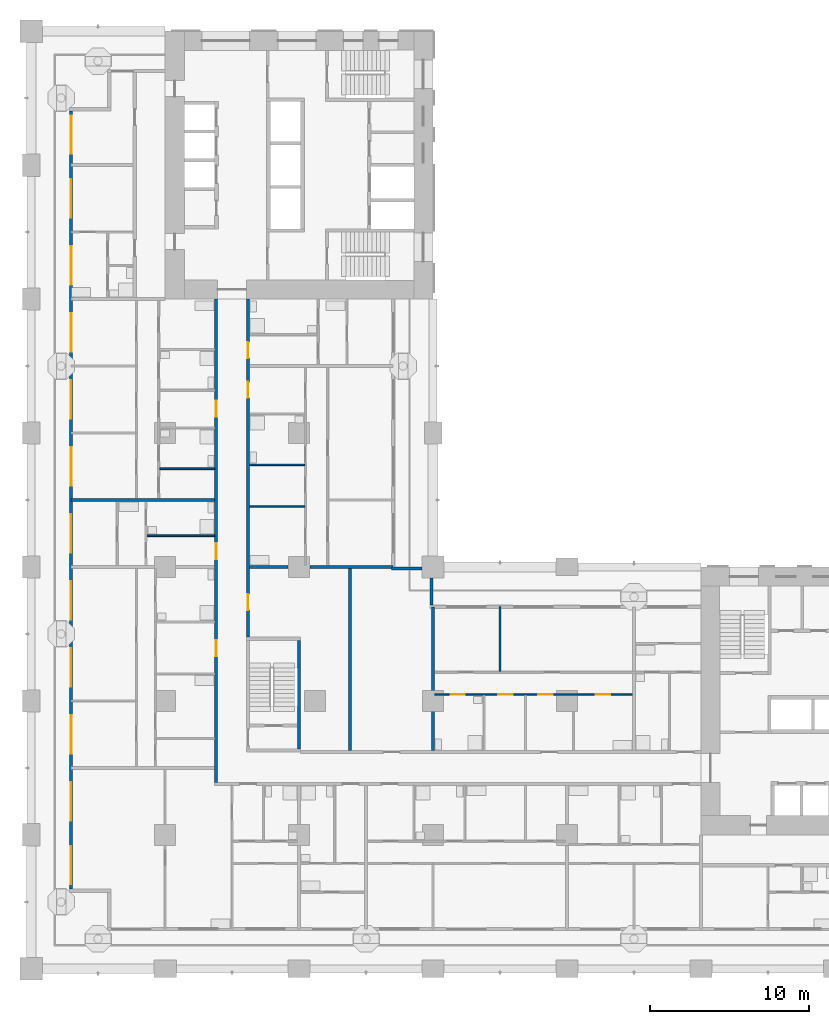
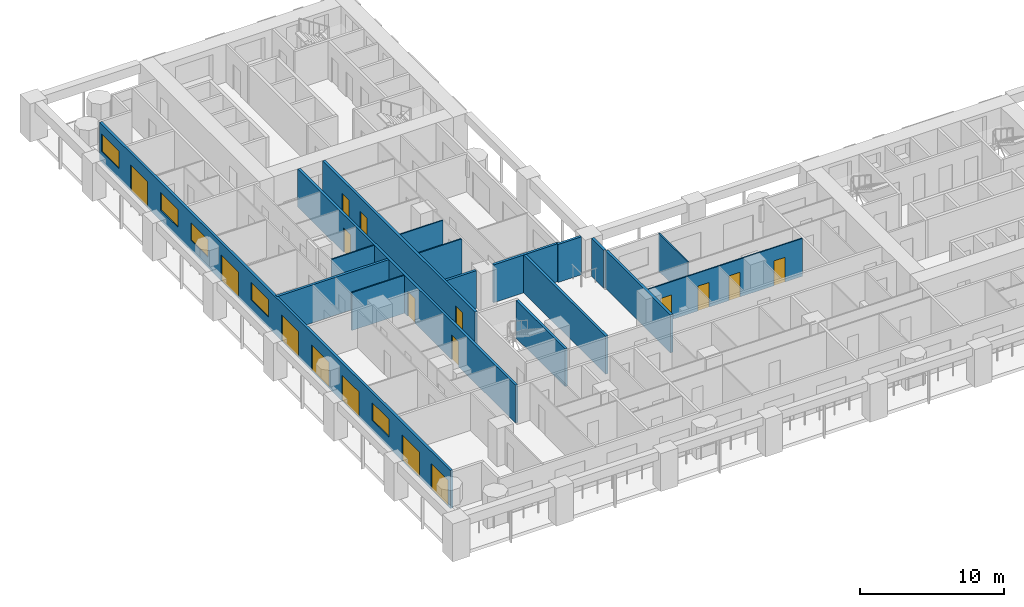
# One storey, part 4 of 21: 17 doors, 17 walls, 5 windows, 22 openings.
"""IFC4 building model written with IfcOpenShell, lengths in metres."""

from ifc_helpers import new_model, si_unit, direction, frame, frame_2d, origin, place, context, subcontext, project, spatial, rectangle, extrude, material, layer, layer_set, type_object, element, fill, save


model = new_model("IFC4")

# Units and contexts
model_context = context("Model", 3, precision=1e-05, world=origin(), true_north=direction((0.0, 1.0)))
body_context = subcontext(model_context, "Body", "Model", "MODEL_VIEW")
ifc_project = project(units=[si_unit("LENGTHUNIT", "METRE"), si_unit("AREAUNIT", "SQUARE_METRE"), si_unit("VOLUMEUNIT", "CUBIC_METRE"), si_unit("PLANEANGLEUNIT", "RADIAN"), si_unit("MASSUNIT", "GRAM", prefix="KILO")], contexts=[model_context])

# Site, building, storey
site_placement = place(None, origin())
site = spatial("IfcSite", under=ifc_project, at=site_placement, CompositionType="ELEMENT")
building_placement = place(site_placement, origin())
building = spatial("IfcBuilding", under=site, at=building_placement, Name="Vermilion Gate Residences", CompositionType="ELEMENT")
storey_placement = place(building_placement, frame((0.0, 0.0, 67.199951171875)))
storey = spatial("IfcBuildingStorey", under=building, at=storey_placement, Name="L16", CompositionType="ELEMENT", Elevation=67.199951171875)

# Wall, openings, doors, windows
ifc_material_1 = material(Name="Insulated steel stud wall with terracotta rainscreen", Category="masonry")
ifc_layer_1 = layer(ifc_material_1, 0.199951171875)
ifc_layer_set_1 = layer_set([ifc_layer_1], Name="EXTERNAL WALL 200 TERRACOTTA RAINSCREEN")
wall_type_1 = type_object("IfcWallType", Name="EXTERNAL WALL 200 TERRACOTTA RAINSCREEN", PredefinedType="SOLIDWALL", material=ifc_layer_set_1)
wall_1_placement = place(storey_placement, frame((2.5, 53.800048828125, 0.0), z_axis=(0.0, 0.0, 1.0), x_axis=(0.0, -1.0, 0.0)))
wall_1 = element("IfcWall", 1, at=wall_1_placement, inside=storey, type_object=wall_type_1, Name="External wall", PredefinedType="SOLIDWALL", context=body_context, shape_type="SweptSolid", body=[
    extrude(rectangle(XDim=48.800048828125, YDim=0.199951171875, at=frame_2d((24.39990234375, 0.0))), origin(), (0.0, 0.0, 1.0), 3.219970703125),
])
opening_1_placement = place(wall_1_placement, frame((46.10009765625, 0.0, 0.0)))
opening_1 = element("IfcOpeningElement", 2, at=opening_1_placement, cuts=wall_1, Name="Opening DE16002", PredefinedType="OPENING", context=body_context, shape_type="SweptSolid", body=[
    extrude(rectangle(XDim=2.39990234375, YDim=2.199951171875, at=frame_2d((1.199951171875, 1.10009765625))), frame((0.0, 0.10986328125, 0.0), z_axis=(0.0, -1.0, 0.0), x_axis=(1.0, 0.0, 0.0)), (0.0, 0.0, 1.0), 0.219970703125),
])
opening_2_placement = place(wall_1_placement, frame((42.10009765625, 0.0, 0.0)))
opening_2 = element("IfcOpeningElement", 3, at=opening_2_placement, cuts=wall_1, Name="Opening DE16003", PredefinedType="OPENING", context=body_context, shape_type="SweptSolid", body=[
    extrude(rectangle(XDim=2.39990234375, YDim=2.199951171875, at=frame_2d((1.199951171875, 1.10009765625))), frame((0.0, 0.10986328125, 0.0), z_axis=(0.0, -1.0, 0.0), x_axis=(1.0, 0.0, 0.0)), (0.0, 0.0, 1.0), 0.219970703125),
])
opening_3_placement = place(wall_1_placement, frame((37.89990234375, 0.0, 0.89990234375)))
opening_3 = element("IfcOpeningElement", 4, at=opening_3_placement, cuts=wall_1, Name="Opening WE16004", PredefinedType="OPENING", context=body_context, shape_type="SweptSolid", body=[
    extrude(rectangle(XDim=2.39990234375, YDim=1.5, at=frame_2d((1.199951171875, 0.75))), frame((0.0, 0.10986328125, 0.0), z_axis=(0.0, -1.0, 0.0), x_axis=(1.0, 0.0, 0.0)), (0.0, 0.0, 1.0), 0.219970703125),
])
opening_4_placement = place(wall_1_placement, frame((33.699951171875, 0.0, 0.0)))
opening_4 = element("IfcOpeningElement", 5, at=opening_4_placement, cuts=wall_1, Name="Opening DE16005", PredefinedType="OPENING", context=body_context, shape_type="SweptSolid", body=[
    extrude(rectangle(XDim=2.39990234375, YDim=2.199951171875, at=frame_2d((1.199951171875, 1.10009765625))), frame((0.0, 0.10986328125, 0.0), z_axis=(0.0, -1.0, 0.0), x_axis=(1.0, 0.0, 0.0)), (0.0, 0.0, 1.0), 0.219970703125),
])
opening_5_placement = place(wall_1_placement, frame((29.5, 0.0, 0.0)))
opening_5 = element("IfcOpeningElement", 6, at=opening_5_placement, cuts=wall_1, Name="Opening DE16006", PredefinedType="OPENING", context=body_context, shape_type="SweptSolid", body=[
    extrude(rectangle(XDim=2.39990234375, YDim=2.199951171875, at=frame_2d((1.199951171875, 1.10009765625))), frame((0.0, 0.10986328125, 0.0), z_axis=(0.0, -1.0, 0.0), x_axis=(1.0, 0.0, 0.0)), (0.0, 0.0, 1.0), 0.219970703125),
])
opening_6_placement = place(wall_1_placement, frame((25.300048828125, 0.0, 0.0)))
opening_6 = element("IfcOpeningElement", 7, at=opening_6_placement, cuts=wall_1, Name="Opening DE16007", PredefinedType="OPENING", context=body_context, shape_type="SweptSolid", body=[
    extrude(rectangle(XDim=2.39990234375, YDim=2.199951171875, at=frame_2d((1.199951171875, 1.10009765625))), frame((0.0, 0.10986328125, 0.0), z_axis=(0.0, -1.0, 0.0), x_axis=(1.0, 0.0, 0.0)), (0.0, 0.0, 1.0), 0.219970703125),
])
opening_7_placement = place(wall_1_placement, frame((21.10009765625, 0.0, 0.89990234375)))
opening_7 = element("IfcOpeningElement", 8, at=opening_7_placement, cuts=wall_1, Name="Opening WE16008", PredefinedType="OPENING", context=body_context, shape_type="SweptSolid", body=[
    extrude(rectangle(XDim=2.39990234375, YDim=1.5, at=frame_2d((1.199951171875, 0.75))), frame((0.0, 0.10986328125, 0.0), z_axis=(0.0, -1.0, 0.0), x_axis=(1.0, 0.0, 0.0)), (0.0, 0.0, 1.0), 0.219970703125),
])
opening_8_placement = place(wall_1_placement, frame((16.89990234375, 0.0, 0.0)))
opening_8 = element("IfcOpeningElement", 9, at=opening_8_placement, cuts=wall_1, Name="Opening DE16009", PredefinedType="OPENING", context=body_context, shape_type="SweptSolid", body=[
    extrude(rectangle(XDim=2.39990234375, YDim=2.199951171875, at=frame_2d((1.199951171875, 1.10009765625))), frame((0.0, 0.10986328125, 0.0), z_axis=(0.0, -1.0, 0.0), x_axis=(1.0, 0.0, 0.0)), (0.0, 0.0, 1.0), 0.219970703125),
])
opening_9_placement = place(wall_1_placement, frame((12.699951171875, 0.0, 0.89990234375)))
opening_9 = element("IfcOpeningElement", 10, at=opening_9_placement, cuts=wall_1, Name="Opening WE16010", PredefinedType="OPENING", context=body_context, shape_type="SweptSolid", body=[
    extrude(rectangle(XDim=2.39990234375, YDim=1.5, at=frame_2d((1.199951171875, 0.75))), frame((0.0, 0.10986328125, 0.0), z_axis=(0.0, -1.0, 0.0), x_axis=(1.0, 0.0, 0.0)), (0.0, 0.0, 1.0), 0.219970703125),
])
opening_10_placement = place(wall_1_placement, frame((8.5, 0.0, 0.89990234375)))
opening_10 = element("IfcOpeningElement", 11, at=opening_10_placement, cuts=wall_1, Name="Opening WE16011", PredefinedType="OPENING", context=body_context, shape_type="SweptSolid", body=[
    extrude(rectangle(XDim=2.39990234375, YDim=1.5, at=frame_2d((1.199951171875, 0.75))), frame((0.0, 0.10986328125, 0.0), z_axis=(0.0, -1.0, 0.0), x_axis=(1.0, 0.0, 0.0)), (0.0, 0.0, 1.0), 0.219970703125),
])
opening_11_placement = place(wall_1_placement, frame((4.300048828125, 0.0, 0.0)))
opening_11 = element("IfcOpeningElement", 12, at=opening_11_placement, cuts=wall_1, Name="Opening DE16012", PredefinedType="OPENING", context=body_context, shape_type="SweptSolid", body=[
    extrude(rectangle(XDim=2.39990234375, YDim=2.199951171875, at=frame_2d((1.199951171875, 1.10009765625))), frame((0.0, 0.10986328125, 0.0), z_axis=(0.0, -1.0, 0.0), x_axis=(1.0, 0.0, 0.0)), (0.0, 0.0, 1.0), 0.219970703125),
])
opening_12_placement = place(wall_1_placement, frame((0.300048828125, 0.0, 0.89990234375)))
opening_12 = element("IfcOpeningElement", 13, at=opening_12_placement, cuts=wall_1, Name="Opening WE16013", PredefinedType="OPENING", context=body_context, shape_type="SweptSolid", body=[
    extrude(rectangle(XDim=2.39990234375, YDim=1.5, at=frame_2d((1.199951171875, 0.75))), frame((0.0, 0.10986328125, 0.0), z_axis=(0.0, -1.0, 0.0), x_axis=(1.0, 0.0, 0.0)), (0.0, 0.0, 1.0), 0.219970703125),
])
ifc_material_2 = material(Name="Aluminium and clear glass", Category="aluminium")
door_type_1 = type_object("IfcDoorType", Name="SLIDING GLAZED DOOR 2400 X 2200", OperationType="DOUBLE_DOOR_SLIDING", PredefinedType="DOOR", material=ifc_material_2)
door_1_placement = place(opening_1_placement, origin())
door_1 = element("IfcDoor", 14, at=door_1_placement, inside=storey, type_object=door_type_1, Name="Loggia sliding door", OperationType="DOUBLE_DOOR_SLIDING", OverallHeight=2.199951171875, OverallWidth=2.39990234375, PredefinedType="DOOR", context=body_context, shape_type="SweptSolid", body=[
    extrude(rectangle(XDim=2.39990234375, YDim=2.199951171875, at=frame_2d((1.199951171875, 1.10009765625))), frame((0.0, 0.02490234375, 0.0), z_axis=(0.0, -1.0, 0.0), x_axis=(1.0, 0.0, 0.0)), (0.0, 0.0, 1.0), 0.050048828125),
])
fill(opening_1, door_1)
door_2_placement = place(opening_2_placement, origin())
door_2 = element("IfcDoor", 15, at=door_2_placement, inside=storey, type_object=door_type_1, Name="Loggia sliding door", OperationType="DOUBLE_DOOR_SLIDING", OverallHeight=2.199951171875, OverallWidth=2.39990234375, PredefinedType="DOOR", context=body_context, shape_type="SweptSolid", body=[
    extrude(rectangle(XDim=2.39990234375, YDim=2.199951171875, at=frame_2d((1.199951171875, 1.10009765625))), frame((0.0, 0.02490234375, 0.0), z_axis=(0.0, -1.0, 0.0), x_axis=(1.0, 0.0, 0.0)), (0.0, 0.0, 1.0), 0.050048828125),
])
fill(opening_2, door_2)
door_3_placement = place(opening_4_placement, origin())
door_3 = element("IfcDoor", 16, at=door_3_placement, inside=storey, type_object=door_type_1, Name="Loggia sliding door", OperationType="DOUBLE_DOOR_SLIDING", OverallHeight=2.199951171875, OverallWidth=2.39990234375, PredefinedType="DOOR", context=body_context, shape_type="SweptSolid", body=[
    extrude(rectangle(XDim=2.39990234375, YDim=2.199951171875, at=frame_2d((1.199951171875, 1.10009765625))), frame((0.0, 0.02490234375, 0.0), z_axis=(0.0, -1.0, 0.0), x_axis=(1.0, 0.0, 0.0)), (0.0, 0.0, 1.0), 0.050048828125),
])
fill(opening_4, door_3)
door_4_placement = place(opening_5_placement, origin())
door_4 = element("IfcDoor", 17, at=door_4_placement, inside=storey, type_object=door_type_1, Name="Loggia sliding door", OperationType="DOUBLE_DOOR_SLIDING", OverallHeight=2.199951171875, OverallWidth=2.39990234375, PredefinedType="DOOR", context=body_context, shape_type="SweptSolid", body=[
    extrude(rectangle(XDim=2.39990234375, YDim=2.199951171875, at=frame_2d((1.199951171875, 1.10009765625))), frame((0.0, 0.02490234375, 0.0), z_axis=(0.0, -1.0, 0.0), x_axis=(1.0, 0.0, 0.0)), (0.0, 0.0, 1.0), 0.050048828125),
])
fill(opening_5, door_4)
door_5_placement = place(opening_6_placement, origin())
door_5 = element("IfcDoor", 18, at=door_5_placement, inside=storey, type_object=door_type_1, Name="Loggia sliding door", OperationType="DOUBLE_DOOR_SLIDING", OverallHeight=2.199951171875, OverallWidth=2.39990234375, PredefinedType="DOOR", context=body_context, shape_type="SweptSolid", body=[
    extrude(rectangle(XDim=2.39990234375, YDim=2.199951171875, at=frame_2d((1.199951171875, 1.10009765625))), frame((0.0, 0.02490234375, 0.0), z_axis=(0.0, -1.0, 0.0), x_axis=(1.0, 0.0, 0.0)), (0.0, 0.0, 1.0), 0.050048828125),
])
fill(opening_6, door_5)
door_6_placement = place(opening_8_placement, origin())
door_6 = element("IfcDoor", 19, at=door_6_placement, inside=storey, type_object=door_type_1, Name="Loggia sliding door", OperationType="DOUBLE_DOOR_SLIDING", OverallHeight=2.199951171875, OverallWidth=2.39990234375, PredefinedType="DOOR", context=body_context, shape_type="SweptSolid", body=[
    extrude(rectangle(XDim=2.39990234375, YDim=2.199951171875, at=frame_2d((1.199951171875, 1.10009765625))), frame((0.0, 0.02490234375, 0.0), z_axis=(0.0, -1.0, 0.0), x_axis=(1.0, 0.0, 0.0)), (0.0, 0.0, 1.0), 0.050048828125),
])
fill(opening_8, door_6)
door_7_placement = place(opening_11_placement, origin())
door_7 = element("IfcDoor", 20, at=door_7_placement, inside=storey, type_object=door_type_1, Name="Loggia sliding door", OperationType="DOUBLE_DOOR_SLIDING", OverallHeight=2.199951171875, OverallWidth=2.39990234375, PredefinedType="DOOR", context=body_context, shape_type="SweptSolid", body=[
    extrude(rectangle(XDim=2.39990234375, YDim=2.199951171875, at=frame_2d((1.199951171875, 1.10009765625))), frame((0.0, 0.02490234375, 0.0), z_axis=(0.0, -1.0, 0.0), x_axis=(1.0, 0.0, 0.0)), (0.0, 0.0, 1.0), 0.050048828125),
])
fill(opening_11, door_7)
ifc_material_3 = material(Name="Aluminium and clear glass", Category="aluminium")
window_type = type_object("IfcWindowType", Name="WINDOW 2400 X 1500", PartitioningType="SINGLE_PANEL", PredefinedType="WINDOW", material=ifc_material_3)
window_1_placement = place(opening_3_placement, origin())
window_1 = element("IfcWindow", 21, at=window_1_placement, inside=storey, type_object=window_type, Name="Window", OverallHeight=1.5, OverallWidth=2.39990234375, PartitioningType="SINGLE_PANEL", PredefinedType="WINDOW", context=body_context, shape_type="SweptSolid", body=[
    extrude(rectangle(XDim=2.39990234375, YDim=1.5, at=frame_2d((1.199951171875, 0.75))), frame((0.0, 0.030029296875, 0.0), z_axis=(0.0, -1.0, 0.0), x_axis=(1.0, 0.0, 0.0)), (0.0, 0.0, 1.0), 0.06005859375),
])
fill(opening_3, window_1)
window_2_placement = place(opening_7_placement, origin())
window_2 = element("IfcWindow", 22, at=window_2_placement, inside=storey, type_object=window_type, Name="Window", OverallHeight=1.5, OverallWidth=2.39990234375, PartitioningType="SINGLE_PANEL", PredefinedType="WINDOW", context=body_context, shape_type="SweptSolid", body=[
    extrude(rectangle(XDim=2.39990234375, YDim=1.5, at=frame_2d((1.199951171875, 0.75))), frame((0.0, 0.030029296875, 0.0), z_axis=(0.0, -1.0, 0.0), x_axis=(1.0, 0.0, 0.0)), (0.0, 0.0, 1.0), 0.06005859375),
])
fill(opening_7, window_2)
window_3_placement = place(opening_9_placement, origin())
window_3 = element("IfcWindow", 23, at=window_3_placement, inside=storey, type_object=window_type, Name="Window", OverallHeight=1.5, OverallWidth=2.39990234375, PartitioningType="SINGLE_PANEL", PredefinedType="WINDOW", context=body_context, shape_type="SweptSolid", body=[
    extrude(rectangle(XDim=2.39990234375, YDim=1.5, at=frame_2d((1.199951171875, 0.75))), frame((0.0, 0.030029296875, 0.0), z_axis=(0.0, -1.0, 0.0), x_axis=(1.0, 0.0, 0.0)), (0.0, 0.0, 1.0), 0.06005859375),
])
fill(opening_9, window_3)
window_4_placement = place(opening_10_placement, origin())
window_4 = element("IfcWindow", 24, at=window_4_placement, inside=storey, type_object=window_type, Name="Window", OverallHeight=1.5, OverallWidth=2.39990234375, PartitioningType="SINGLE_PANEL", PredefinedType="WINDOW", context=body_context, shape_type="SweptSolid", body=[
    extrude(rectangle(XDim=2.39990234375, YDim=1.5, at=frame_2d((1.199951171875, 0.75))), frame((0.0, 0.030029296875, 0.0), z_axis=(0.0, -1.0, 0.0), x_axis=(1.0, 0.0, 0.0)), (0.0, 0.0, 1.0), 0.06005859375),
])
fill(opening_10, window_4)
window_5_placement = place(opening_12_placement, origin())
window_5 = element("IfcWindow", 25, at=window_5_placement, inside=storey, type_object=window_type, Name="Window", OverallHeight=1.5, OverallWidth=2.39990234375, PartitioningType="SINGLE_PANEL", PredefinedType="WINDOW", context=body_context, shape_type="SweptSolid", body=[
    extrude(rectangle(XDim=2.39990234375, YDim=1.5, at=frame_2d((1.199951171875, 0.75))), frame((0.0, 0.030029296875, 0.0), z_axis=(0.0, -1.0, 0.0), x_axis=(1.0, 0.0, 0.0)), (0.0, 0.0, 1.0), 0.06005859375),
])
fill(opening_12, window_5)

# Walls
wall_2_placement = place(storey_placement, frame((25.10009765625, 22.800048828125, 0.0), z_axis=(0.0, 0.0, 1.0), x_axis=(0.0, 1.0, 0.0)))
element("IfcWall", 26, at=wall_2_placement, inside=storey, type_object=wall_type_1, Name="External wall", PredefinedType="SOLIDWALL", context=body_context, shape_type="SweptSolid", body=[
    extrude(rectangle(XDim=1.699951171875, YDim=0.199951171875, at=frame_2d((0.85009765625, 0.0))), origin(), (0.0, 0.0, 1.0), 3.219970703125),
])
wall_3_placement = place(storey_placement, frame((24.5, 25.10009765625, 0.0), z_axis=(0.0, 0.0, 1.0), x_axis=(-1.0, 0.0, 0.0)))
element("IfcWall", 27, at=wall_3_placement, inside=storey, type_object=wall_type_1, Name="External wall", PredefinedType="SOLIDWALL", context=body_context, shape_type="SweptSolid", body=[
    extrude(rectangle(XDim=1.89990234375, YDim=0.199951171875, at=frame_2d((0.949951171875, 0.0))), origin(), (0.0, 0.0, 1.0), 3.219970703125),
])

# Wall, openings, doors
ifc_material_4 = material(Name="Plasterboard on steel studs", Category="steel")
ifc_layer_2 = layer(ifc_material_4, 0.10009765625)
ifc_layer_set_2 = layer_set([ifc_layer_2], Name="PARTITION 100")
wall_type_2 = type_object("IfcWallType", Name="PARTITION 100", PredefinedType="PARTITIONING", material=ifc_layer_set_2)
wall_4_placement = place(storey_placement, frame((25.300048828125, 17.199951171875, 0.0), z_axis=(0.0, 0.0, 1.0), x_axis=(1.0, 0.0, 0.0)))
wall_4 = element("IfcWall", 28, at=wall_4_placement, inside=storey, type_object=wall_type_2, Name="Partition", PredefinedType="PARTITIONING", context=body_context, shape_type="SweptSolid", body=[
    extrude(rectangle(XDim=12.39990234375, YDim=0.10009765625, at=frame_2d((6.199951171875, 0.0))), origin(), (0.0, 0.0, 1.0), 3.219970703125),
])
opening_13_placement = place(wall_4_placement, frame((6.5, 0.0, 0.0)))
opening_13 = element("IfcOpeningElement", 29, at=opening_13_placement, cuts=wall_4, Name="Opening DA16033", PredefinedType="OPENING", context=body_context, shape_type="SweptSolid", body=[
    extrude(rectangle(XDim=0.89990234375, YDim=2.10009765625, at=frame_2d((0.449951171875, 1.050048828125))), frame((0.0, 0.06005859375, 0.0), z_axis=(0.0, -1.0, 0.0), x_axis=(1.0, 0.0, 0.0)), (0.0, 0.0, 1.0), 0.1201171875),
])
opening_14_placement = place(wall_4_placement, frame((1.0, 0.0, 0.0)))
opening_14 = element("IfcOpeningElement", 30, at=opening_14_placement, cuts=wall_4, Name="Opening DA16034", PredefinedType="OPENING", context=body_context, shape_type="SweptSolid", body=[
    extrude(rectangle(XDim=0.89990234375, YDim=2.10009765625, at=frame_2d((0.449951171875, 1.050048828125))), frame((0.0, 0.06005859375, 0.0), z_axis=(0.0, -1.0, 0.0), x_axis=(1.0, 0.0, 0.0)), (0.0, 0.0, 1.0), 0.1201171875),
])
opening_15_placement = place(wall_4_placement, frame((4.0, 0.0, 0.0)))
opening_15 = element("IfcOpeningElement", 31, at=opening_15_placement, cuts=wall_4, Name="Opening DA16035", PredefinedType="OPENING", context=body_context, shape_type="SweptSolid", body=[
    extrude(rectangle(XDim=0.89990234375, YDim=2.10009765625, at=frame_2d((0.449951171875, 1.050048828125))), frame((0.0, 0.06005859375, 0.0), z_axis=(0.0, -1.0, 0.0), x_axis=(1.0, 0.0, 0.0)), (0.0, 0.0, 1.0), 0.1201171875),
])
opening_16_placement = place(wall_4_placement, frame((10.10009765625, 0.0, 0.0)))
opening_16 = element("IfcOpeningElement", 32, at=opening_16_placement, cuts=wall_4, Name="Opening DA16036", PredefinedType="OPENING", context=body_context, shape_type="SweptSolid", body=[
    extrude(rectangle(XDim=0.89990234375, YDim=2.10009765625, at=frame_2d((0.449951171875, 1.050048828125))), frame((0.0, 0.06005859375, 0.0), z_axis=(0.0, -1.0, 0.0), x_axis=(1.0, 0.0, 0.0)), (0.0, 0.0, 1.0), 0.1201171875),
])
ifc_material_5 = material(Name="Timber", Category="wood")
door_type_2 = type_object("IfcDoorType", Name="INTERIOR DOOR 900 X 2100", OperationType="SINGLE_SWING_LEFT", PredefinedType="DOOR", material=ifc_material_5)
door_8_placement = place(opening_13_placement, frame((0.89990234375, 0.0, 0.0), z_axis=(0.0, 0.0, 1.0), x_axis=(-1.0, 0.0, 0.0)))
door_8 = element("IfcDoor", 33, at=door_8_placement, inside=storey, type_object=door_type_2, Name="Interior door", OperationType="SINGLE_SWING_LEFT", OverallHeight=2.10009765625, OverallWidth=0.89990234375, PredefinedType="DOOR", context=body_context, shape_type="SweptSolid", body=[
    extrude(rectangle(XDim=0.89990234375, YDim=2.10009765625, at=frame_2d((0.449951171875, 1.050048828125))), frame((0.0, 0.02490234375, 0.0), z_axis=(0.0, -1.0, 0.0), x_axis=(1.0, 0.0, 0.0)), (0.0, 0.0, 1.0), 0.050048828125),
])
fill(opening_13, door_8)
door_9_placement = place(opening_14_placement, frame((0.89990234375, 0.0, 0.0), z_axis=(0.0, 0.0, 1.0), x_axis=(-1.0, 0.0, 0.0)))
door_9 = element("IfcDoor", 34, at=door_9_placement, inside=storey, type_object=door_type_2, Name="Interior door", OperationType="SINGLE_SWING_RIGHT", OverallHeight=2.10009765625, OverallWidth=0.89990234375, PredefinedType="DOOR", context=body_context, shape_type="SweptSolid", body=[
    extrude(rectangle(XDim=0.89990234375, YDim=2.10009765625, at=frame_2d((0.449951171875, 1.050048828125))), frame((0.0, 0.02490234375, 0.0), z_axis=(0.0, -1.0, 0.0), x_axis=(1.0, 0.0, 0.0)), (0.0, 0.0, 1.0), 0.050048828125),
])
fill(opening_14, door_9)
door_10_placement = place(opening_15_placement, frame((0.89990234375, 0.0, 0.0), z_axis=(0.0, 0.0, 1.0), x_axis=(-1.0, 0.0, 0.0)))
door_10 = element("IfcDoor", 35, at=door_10_placement, inside=storey, type_object=door_type_2, Name="Interior door", OperationType="SINGLE_SWING_LEFT", OverallHeight=2.10009765625, OverallWidth=0.89990234375, PredefinedType="DOOR", context=body_context, shape_type="SweptSolid", body=[
    extrude(rectangle(XDim=0.89990234375, YDim=2.10009765625, at=frame_2d((0.449951171875, 1.050048828125))), frame((0.0, 0.02490234375, 0.0), z_axis=(0.0, -1.0, 0.0), x_axis=(1.0, 0.0, 0.0)), (0.0, 0.0, 1.0), 0.050048828125),
])
fill(opening_15, door_10)
door_11_placement = place(opening_16_placement, frame((0.89990234375, 0.0, 0.0), z_axis=(0.0, 0.0, 1.0), x_axis=(-1.0, 0.0, 0.0)))
door_11 = element("IfcDoor", 36, at=door_11_placement, inside=storey, type_object=door_type_2, Name="Interior door", OperationType="SINGLE_SWING_RIGHT", OverallHeight=2.10009765625, OverallWidth=0.89990234375, PredefinedType="DOOR", context=body_context, shape_type="SweptSolid", body=[
    extrude(rectangle(XDim=0.89990234375, YDim=2.10009765625, at=frame_2d((0.449951171875, 1.050048828125))), frame((0.0, 0.02490234375, 0.0), z_axis=(0.0, -1.0, 0.0), x_axis=(1.0, 0.0, 0.0)), (0.0, 0.0, 1.0), 0.050048828125),
])
fill(opening_16, door_11)

# Walls
wall_5_placement = place(storey_placement, frame((7.25, 27.159912109375, 0.0), z_axis=(0.0, 0.0, 1.0), x_axis=(1.0, 0.0, 0.0)))
element("IfcWall", 37, at=wall_5_placement, inside=storey, type_object=wall_type_2, Name="Partition", PredefinedType="PARTITIONING", context=body_context, shape_type="SweptSolid", body=[
    extrude(rectangle(XDim=4.25, YDim=0.10009765625, at=frame_2d((2.125, 0.0))), origin(), (0.0, 0.0, 1.0), 3.219970703125),
])
for number, where, z_axis, x_axis, name in (
    (38, (13.699951171875, 29.0, 0.0), (0.0, 0.0, 1.0), (1.0, 0.0, 0.0), "Partition"),
    (39, (8.050048828125, 31.360107421875, 0.0), (0.0, 0.0, 1.0), (1.0, 0.0, 0.0), "Partition"),
    (40, (13.699951171875, 31.60009765625, 0.0), (0.0, 0.0, 1.0), (1.0, 0.0, 0.0), "Partition"),
):
    element("IfcWall", number, at=place(storey_placement, frame(where, z_axis=z_axis, x_axis=x_axis)), inside=storey, type_object=wall_type_2, Name=name, PredefinedType="PARTITIONING", context=body_context, shape_type="SweptSolid", body=[
        extrude(rectangle(XDim=3.449951171875, YDim=0.10009765625, at=frame_2d((1.72509765625, 0.0))), origin(), (0.0, 0.0, 1.0), 3.219970703125),
    ])
wall_6_placement = place(storey_placement, frame((29.39990234375, 18.64990234375, 0.0), z_axis=(0.0, 0.0, 1.0), x_axis=(0.0, 1.0, 0.0)))
element("IfcWall", 41, at=wall_6_placement, inside=storey, type_object=wall_type_2, Name="Partition", PredefinedType="PARTITIONING", context=body_context, shape_type="SweptSolid", body=[
    extrude(rectangle(XDim=4.050048828125, YDim=0.10009765625, at=frame_2d((2.02490234375, 0.0))), origin(), (0.0, 0.0, 1.0), 3.219970703125),
])
ifc_material_6 = material(Name="Fire-rated plasterboard on steel studs", Category="steel")
ifc_layer_3 = layer(ifc_material_6, 0.199951171875)
ifc_layer_set_3 = layer_set([ifc_layer_3], Name="PARTY WALL 200 EI 120")
wall_type_3 = type_object("IfcWallType", Name="PARTY WALL 200 EI 120", PredefinedType="PARTITIONING", material=ifc_layer_set_3)
wall_7_placement = place(storey_placement, frame((13.699951171875, 25.199951171875, 0.0), z_axis=(0.0, 0.0, 1.0), x_axis=(1.0, 0.0, 0.0)))
element("IfcWall", 42, at=wall_7_placement, inside=storey, type_object=wall_type_3, Name="Party and corridor wall", PredefinedType="PARTITIONING", context=body_context, shape_type="SweptSolid", body=[
    extrude(rectangle(XDim=2.400146484375, YDim=0.199951171875, at=frame_2d((1.2001953125, 0.0))), origin(), (0.0, 0.0, 1.0), 3.219970703125),
])
wall_8_placement = place(storey_placement, frame((17.5, 25.199951171875, 0.0), z_axis=(0.0, 0.0, 1.0), x_axis=(1.0, 0.0, 0.0)))
element("IfcWall", 43, at=wall_8_placement, inside=storey, type_object=wall_type_3, Name="Party and corridor wall", PredefinedType="PARTITIONING", context=body_context, shape_type="SweptSolid", body=[
    extrude(rectangle(XDim=5.199951171875, YDim=0.199951171875, at=frame_2d((2.60009765625, 0.0))), origin(), (0.0, 0.0, 1.0), 3.219970703125),
])
wall_9_placement = place(storey_placement, frame((2.5, 29.39990234375, 0.0), z_axis=(0.0, 0.0, 1.0), x_axis=(1.0, 0.0, 0.0)))
element("IfcWall", 44, at=wall_9_placement, inside=storey, type_object=wall_type_3, Name="Party and corridor wall", PredefinedType="PARTITIONING", context=body_context, shape_type="SweptSolid", body=[
    extrude(rectangle(XDim=9.0, YDim=0.199951171875, at=frame_2d((4.5, 0.0))), origin(), (0.0, 0.0, 1.0), 3.219970703125),
])

# Wall, openings, doors
wall_10_placement = place(storey_placement, frame((11.60009765625, 11.699951171875, 0.0), z_axis=(0.0, 0.0, 1.0), x_axis=(0.0, 1.0, 0.0)))
wall_10 = element("IfcWall", 45, at=wall_10_placement, inside=storey, type_object=wall_type_3, Name="Party and corridor wall", PredefinedType="PARTITIONING", context=body_context, shape_type="SweptSolid", body=[
    extrude(rectangle(XDim=30.300048828125, YDim=0.199951171875, at=frame_2d((15.14990234375, 0.0))), origin(), (0.0, 0.0, 1.0), 3.219970703125),
])
opening_17_placement = place(wall_10_placement, frame((7.89990234375, 0.0, 0.0)))
opening_17 = element("IfcOpeningElement", 46, at=opening_17_placement, cuts=wall_10, Name="Opening DA16065", PredefinedType="OPENING", context=body_context, shape_type="SweptSolid", body=[
    extrude(rectangle(XDim=1.0, YDim=2.10009765625, at=frame_2d((0.5, 1.050048828125))), frame((0.0, 0.10986328125, 0.0), z_axis=(0.0, -1.0, 0.0), x_axis=(1.0, 0.0, 0.0)), (0.0, 0.0, 1.0), 0.219970703125),
])
opening_18_placement = place(wall_10_placement, frame((14.0, 0.0, 0.0)))
opening_18 = element("IfcOpeningElement", 47, at=opening_18_placement, cuts=wall_10, Name="Opening DA16066", PredefinedType="OPENING", context=body_context, shape_type="SweptSolid", body=[
    extrude(rectangle(XDim=1.0, YDim=2.10009765625, at=frame_2d((0.5, 1.050048828125))), frame((0.0, 0.10986328125, 0.0), z_axis=(0.0, -1.0, 0.0), x_axis=(1.0, 0.0, 0.0)), (0.0, 0.0, 1.0), 0.219970703125),
])
opening_19_placement = place(wall_10_placement, frame((22.919921875, 0.0, 0.0)))
opening_19 = element("IfcOpeningElement", 48, at=opening_19_placement, cuts=wall_10, Name="Opening DA16067", PredefinedType="OPENING", context=body_context, shape_type="SweptSolid", body=[
    extrude(rectangle(XDim=1.0, YDim=2.10009765625, at=frame_2d((0.5, 1.050048828125))), frame((0.0, 0.10986328125, 0.0), z_axis=(0.0, -1.0, 0.0), x_axis=(1.0, 0.0, 0.0)), (0.0, 0.0, 1.0), 0.219970703125),
])
ifc_material_7 = material(Name="Steel", Category="steel")
door_type_3 = type_object("IfcDoorType", Name="ENTRANCE DOOR 1000 X 2100 FD30", OperationType="SINGLE_SWING_LEFT", PredefinedType="DOOR", material=ifc_material_7)
door_12_placement = place(opening_17_placement, origin())
door_12 = element("IfcDoor", 49, at=door_12_placement, inside=storey, type_object=door_type_3, Name="Entrance door", OperationType="SINGLE_SWING_LEFT", OverallHeight=2.10009765625, OverallWidth=1.0, PredefinedType="DOOR", context=body_context, shape_type="SweptSolid", body=[
    extrude(rectangle(XDim=1.0, YDim=2.10009765625, at=frame_2d((0.5, 1.050048828125))), frame((0.0, 0.02490234375, 0.0), z_axis=(0.0, -1.0, 0.0), x_axis=(1.0, 0.0, 0.0)), (0.0, 0.0, 1.0), 0.050048828125),
])
fill(opening_17, door_12)
door_13_placement = place(opening_18_placement, origin())
door_13 = element("IfcDoor", 50, at=door_13_placement, inside=storey, type_object=door_type_3, Name="Entrance door", OperationType="SINGLE_SWING_LEFT", OverallHeight=2.10009765625, OverallWidth=1.0, PredefinedType="DOOR", context=body_context, shape_type="SweptSolid", body=[
    extrude(rectangle(XDim=1.0, YDim=2.10009765625, at=frame_2d((0.5, 1.050048828125))), frame((0.0, 0.02490234375, 0.0), z_axis=(0.0, -1.0, 0.0), x_axis=(1.0, 0.0, 0.0)), (0.0, 0.0, 1.0), 0.050048828125),
])
fill(opening_18, door_13)
door_14_placement = place(opening_19_placement, origin())
door_14 = element("IfcDoor", 51, at=door_14_placement, inside=storey, type_object=door_type_3, Name="Entrance door", OperationType="SINGLE_SWING_RIGHT", OverallHeight=2.10009765625, OverallWidth=1.0, PredefinedType="DOOR", context=body_context, shape_type="SweptSolid", body=[
    extrude(rectangle(XDim=1.0, YDim=2.10009765625, at=frame_2d((0.5, 1.050048828125))), frame((0.0, 0.02490234375, 0.0), z_axis=(0.0, -1.0, 0.0), x_axis=(1.0, 0.0, 0.0)), (0.0, 0.0, 1.0), 0.050048828125),
])
fill(opening_19, door_14)

wall_11_placement = place(storey_placement, frame((13.60009765625, 20.800048828125, 0.0), z_axis=(0.0, 0.0, 1.0), x_axis=(0.0, 1.0, 0.0)))
wall_11 = element("IfcWall", 52, at=wall_11_placement, inside=storey, type_object=wall_type_3, Name="Party and corridor wall", PredefinedType="PARTITIONING", context=body_context, shape_type="SweptSolid", body=[
    extrude(rectangle(XDim=21.199951171875, YDim=0.199951171875, at=frame_2d((10.60009765625, 0.0))), origin(), (0.0, 0.0, 1.0), 3.219970703125),
])
opening_20_placement = place(wall_11_placement, frame((15.0, 0.0, 0.0)))
opening_20 = element("IfcOpeningElement", 53, at=opening_20_placement, cuts=wall_11, Name="Opening DA16069", PredefinedType="OPENING", context=body_context, shape_type="SweptSolid", body=[
    extrude(rectangle(XDim=1.0, YDim=2.10009765625, at=frame_2d((0.5, 1.050048828125))), frame((0.0, 0.10986328125, 0.0), z_axis=(0.0, -1.0, 0.0), x_axis=(1.0, 0.0, 0.0)), (0.0, 0.0, 1.0), 0.219970703125),
])
opening_21_placement = place(wall_11_placement, frame((17.5, 0.0, 0.0)))
opening_21 = element("IfcOpeningElement", 54, at=opening_21_placement, cuts=wall_11, Name="Opening DA16070", PredefinedType="OPENING", context=body_context, shape_type="SweptSolid", body=[
    extrude(rectangle(XDim=1.0, YDim=2.10009765625, at=frame_2d((0.5, 1.050048828125))), frame((0.0, 0.10986328125, 0.0), z_axis=(0.0, -1.0, 0.0), x_axis=(1.0, 0.0, 0.0)), (0.0, 0.0, 1.0), 0.219970703125),
])
opening_22_placement = place(wall_11_placement, frame((1.699951171875, 0.0, 0.0)))
opening_22 = element("IfcOpeningElement", 55, at=opening_22_placement, cuts=wall_11, Name="Opening DA16071", PredefinedType="OPENING", context=body_context, shape_type="SweptSolid", body=[
    extrude(rectangle(XDim=1.0, YDim=2.10009765625, at=frame_2d((0.5, 1.050048828125))), frame((0.0, 0.10986328125, 0.0), z_axis=(0.0, -1.0, 0.0), x_axis=(1.0, 0.0, 0.0)), (0.0, 0.0, 1.0), 0.219970703125),
])
door_15_placement = place(opening_20_placement, frame((1.0, 0.0, 0.0), z_axis=(0.0, 0.0, 1.0), x_axis=(-1.0, 0.0, 0.0)))
door_15 = element("IfcDoor", 56, at=door_15_placement, inside=storey, type_object=door_type_3, Name="Entrance door", OperationType="SINGLE_SWING_LEFT", OverallHeight=2.10009765625, OverallWidth=1.0, PredefinedType="DOOR", context=body_context, shape_type="SweptSolid", body=[
    extrude(rectangle(XDim=1.0, YDim=2.10009765625, at=frame_2d((0.5, 1.050048828125))), frame((0.0, 0.02490234375, 0.0), z_axis=(0.0, -1.0, 0.0), x_axis=(1.0, 0.0, 0.0)), (0.0, 0.0, 1.0), 0.050048828125),
])
fill(opening_20, door_15)
door_16_placement = place(opening_21_placement, frame((1.0, 0.0, 0.0), z_axis=(0.0, 0.0, 1.0), x_axis=(-1.0, 0.0, 0.0)))
door_16 = element("IfcDoor", 57, at=door_16_placement, inside=storey, type_object=door_type_3, Name="Entrance door", OperationType="SINGLE_SWING_RIGHT", OverallHeight=2.10009765625, OverallWidth=1.0, PredefinedType="DOOR", context=body_context, shape_type="SweptSolid", body=[
    extrude(rectangle(XDim=1.0, YDim=2.10009765625, at=frame_2d((0.5, 1.050048828125))), frame((0.0, 0.02490234375, 0.0), z_axis=(0.0, -1.0, 0.0), x_axis=(1.0, 0.0, 0.0)), (0.0, 0.0, 1.0), 0.050048828125),
])
fill(opening_21, door_16)
door_17_placement = place(opening_22_placement, frame((1.0, 0.0, 0.0), z_axis=(0.0, 0.0, 1.0), x_axis=(-1.0, 0.0, 0.0)))
door_17 = element("IfcDoor", 58, at=door_17_placement, inside=storey, type_object=door_type_3, Name="Entrance door", OperationType="SINGLE_SWING_LEFT", OverallHeight=2.10009765625, OverallWidth=1.0, PredefinedType="DOOR", context=body_context, shape_type="SweptSolid", body=[
    extrude(rectangle(XDim=1.0, YDim=2.10009765625, at=frame_2d((0.5, 1.050048828125))), frame((0.0, 0.02490234375, 0.0), z_axis=(0.0, -1.0, 0.0), x_axis=(1.0, 0.0, 0.0)), (0.0, 0.0, 1.0), 0.050048828125),
])
fill(opening_22, door_17)

# Walls
wall_12_placement = place(storey_placement, frame((20.0, 13.699951171875, 0.0), z_axis=(0.0, 0.0, 1.0), x_axis=(0.0, 1.0, 0.0)))
element("IfcWall", 59, at=wall_12_placement, inside=storey, type_object=wall_type_3, Name="Party and corridor wall", PredefinedType="PARTITIONING", context=body_context, shape_type="SweptSolid", body=[
    extrude(rectangle(XDim=11.400146484375, YDim=0.199951171875, at=frame_2d((5.7001953125, 0.0))), origin(), (0.0, 0.0, 1.0), 3.219970703125),
])
wall_13_placement = place(storey_placement, frame((25.199951171875, 13.699951171875, 0.0), z_axis=(0.0, 0.0, 1.0), x_axis=(0.0, 1.0, 0.0)))
element("IfcWall", 60, at=wall_13_placement, inside=storey, type_object=wall_type_3, Name="Party and corridor wall", PredefinedType="PARTITIONING", context=body_context, shape_type="SweptSolid", body=[
    extrude(rectangle(XDim=9.0, YDim=0.199951171875, at=frame_2d((4.5, 0.0))), origin(), (0.0, 0.0, 1.0), 3.219970703125),
])
ifc_material_8 = material(Name="Concrete C60", Category="concrete")
ifc_layer_4 = layer(ifc_material_8, 0.199951171875)
ifc_layer_set_4 = layer_set([ifc_layer_4], Name="RC CORE INTERNAL WALL 200 C60")
wall_type_4 = type_object("IfcWallType", Name="RC CORE INTERNAL WALL 200 C60", PredefinedType="SHEAR", material=ifc_layer_set_4)
wall_14_placement = place(storey_placement, frame((16.800048828125, 13.800048828125, 0.0), z_axis=(0.0, 0.0, 1.0), x_axis=(0.0, 1.0, 0.0)))
element("IfcWall", 61, at=wall_14_placement, inside=storey, type_object=wall_type_4, Name="Core internal wall C16-E", PredefinedType="SHEAR", context=body_context, shape_type="SweptSolid", body=[
    extrude(rectangle(XDim=6.800048828125, YDim=0.199951171875, at=frame_2d((3.39990234375, 0.0))), origin(), (0.0, 0.0, 1.0), 3.219970703125),
])

save(model, "model.ifc")
